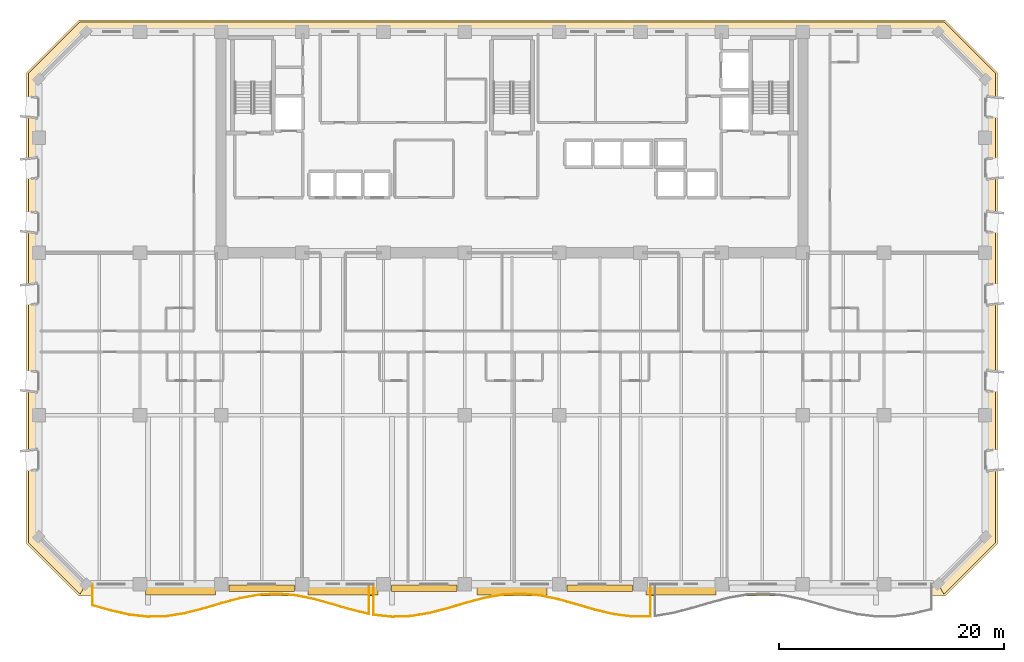
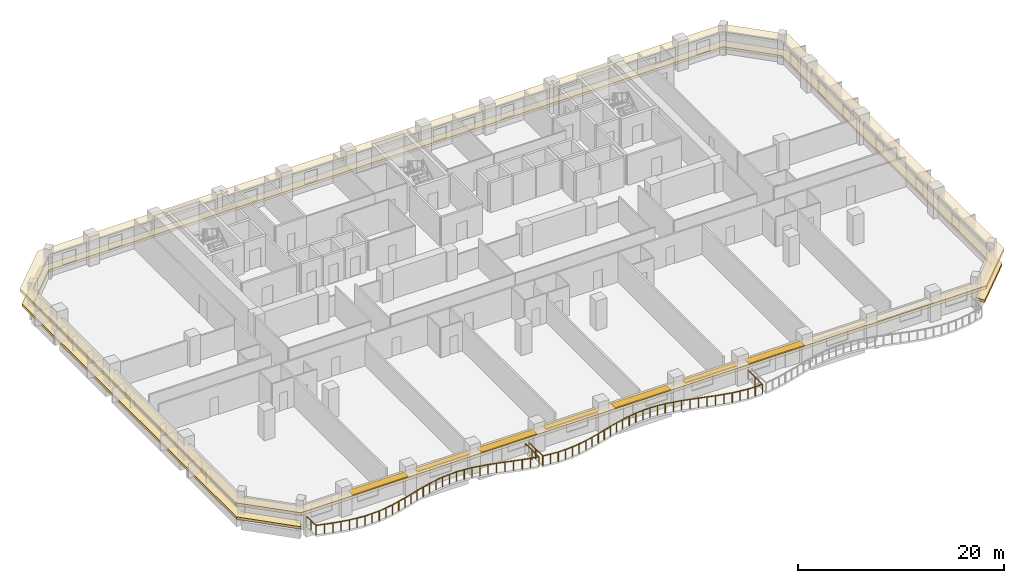
# One storey, part 11 of 14: 7 shading devices, 2 coverings, 2 railings.
"""IFC4 building model written with IfcOpenShell, lengths in metres."""

from ifc_helpers import new_model, si_unit, direction, frame, origin, origin_2d, place, context, subcontext, project, spatial, polyline, rectangle, outline, extrude, material, layer, layer_set, type_object, element, save


model = new_model("IFC4")

# Units and contexts
model_context = context("Model", 3, precision=1e-05, world=origin(), true_north=direction((0.0, 1.0)))
body_context = subcontext(model_context, "Body", "Model", "MODEL_VIEW")
ifc_project = project(units=[si_unit("LENGTHUNIT", "METRE"), si_unit("AREAUNIT", "SQUARE_METRE"), si_unit("VOLUMEUNIT", "CUBIC_METRE"), si_unit("PLANEANGLEUNIT", "RADIAN"), si_unit("MASSUNIT", "GRAM", prefix="KILO")], contexts=[model_context])

# Site, building, storey
site_placement = place(None, origin())
site = spatial("IfcSite", under=ifc_project, at=site_placement, CompositionType="ELEMENT")
building_placement = place(site_placement, origin())
building = spatial("IfcBuilding", under=site, at=building_placement, Name="Kaelvorn Grand Hotel", CompositionType="ELEMENT")
storey_placement = place(building_placement, frame((0.0, 0.0, 93.050048828125)))
storey = spatial("IfcBuildingStorey", under=building, at=storey_placement, Name="L21", CompositionType="ELEMENT", Elevation=93.050048828125)

# Coverings
ifc_material_1 = material(Name="Precast concrete C45/55", Category="concrete")
ifc_layer_1 = layer(ifc_material_1, 0.260009765625)
ifc_layer_set_1 = layer_set([ifc_layer_1], Name="Precast concrete C45/55")
covering_type_1 = type_object("IfcCoveringType", Name="COV-BAND-STREAMLINE-HEAD", PredefinedType="CLADDING", material=ifc_layer_set_1)
covering_1_placement = place(storey_placement, frame((0.0, 0.0, 2.179931640625)))
element("IfcCovering", 1, at=covering_1_placement, inside=storey, type_object=covering_type_1, Name="L21 Streamline Moderne Wraparound Horizontal Eyebrow Band", PredefinedType="CLADDING", context=body_context, shape_type="SweptSolid", body=[
    extrude(outline(polyline([(3.590087890625, -1.050048828125), (80.409912109375, -1.050048828125), (85.050048828125, 3.590087890625), (85.050048828125, 45.409912109375), (80.409912109375, 50.050048828125), (3.590087890625, 50.050048828125), (-1.050048828125, 45.409912109375), (-1.050048828125, 3.590087890625), (3.590087890625, -1.050048828125)]), holes=[polyline([(4.219970703125, 0.030029296875), (79.780029296875, 0.030029296875), (83.969970703125, 4.219970703125), (83.969970703125, 44.780029296875), (79.780029296875, 48.969970703125), (4.219970703125, 48.969970703125), (0.030029296875, 44.780029296875), (0.030029296875, 4.219970703125), (4.219970703125, 0.030029296875)])]), origin(), (0.0, 0.0, 1.0), 0.360107421875),
])
ifc_layer_2 = layer(ifc_material_1, 0.219970703125)
ifc_layer_set_2 = layer_set([ifc_layer_2], Name="Precast concrete C45/55")
covering_type_2 = type_object("IfcCoveringType", Name="COV-BAND-STREAMLINE-SILL", PredefinedType="CLADDING", material=ifc_layer_set_2)
covering_2_placement = place(storey_placement, frame((0.0, 0.0, 0.449951171875)))
element("IfcCovering", 2, at=covering_2_placement, inside=storey, type_object=covering_type_2, Name="L21 Streamline Moderne Wraparound Horizontal Sill Spandrel Band", PredefinedType="CLADDING", context=body_context, shape_type="SweptSolid", body=[
    extrude(outline(polyline([(80.3154296875, -0.8798828125), (84.8798828125, 3.6845703125), (84.8798828125, 45.3154296875), (80.3154296875, 49.8798828125), (3.6845703125, 49.8798828125), (-0.8798828125, 45.3154296875), (-0.8798828125, 3.6845703125), (3.6845703125, -0.8798828125), (4.217529296875, 0.030029296875), (0.030029296875, 4.217529296875), (0.030029296875, 44.782470703125), (4.217529296875, 48.969970703125), (79.782470703125, 48.969970703125), (83.969970703125, 44.782470703125), (83.969970703125, 4.217529296875), (79.782470703125, 0.030029296875), (80.3154296875, -0.8798828125)])), origin(), (0.0, 0.0, 1.0), 0.300048828125),
])

# Railings
ifc_material_2 = material(Name="Stainless Steel", Category="steel")
railing_type = type_object("IfcRailingType", Name="RL-BALC-1150", PredefinedType="BALUSTRADE", material=ifc_material_2)
railing_1_placement = place(storey_placement, frame((4.800048828125, 0.0, 0.0)))
element("IfcRailing", 3, at=railing_1_placement, inside=storey, type_object=railing_type, Name="L21 Scalloped Wave Balcony Balustrade GR1-1", PredefinedType="BALUSTRADE", context=body_context, shape_type="SweptSolid", body=[
    extrude(rectangle(XDim=0.048095703125, YDim=0.048095703125, at=origin_2d()), frame((0.0, 0.0, 1.1259765625), z_axis=(0.0, -1.0, 0.0), x_axis=(1.0, 0.0, 0.0)), (0.0, 0.0, 1.0), 1.875),
    extrude(rectangle(XDim=0.048095703125, YDim=0.048095703125, at=origin_2d()), frame((0.0, -1.875, 1.1259765625), z_axis=(0.961182099659, -0.275914789916, 0.0), x_axis=(0.275914789916, 0.961182099659, 0.0)), (0.0, 0.0, 1.0), 1.70166015625),
    extrude(rectangle(XDim=0.048095703125, YDim=0.048095703125, at=origin_2d()), frame((1.635498046875, -2.344482421875, 1.1259765625), z_axis=(0.975960285226, -0.21794843808, 0.0), x_axis=(0.21794843808, 0.975960285226, 0.0)), (0.0, 0.0, 1.0), 1.67578125),
    extrude(rectangle(XDim=0.048095703125, YDim=0.048095703125, at=origin_2d()), frame((3.27099609375, -2.709716796875, 1.1259765625), z_axis=(0.994020469758, -0.109193890409, 0.0), x_axis=(0.109193890409, 0.994020469758, 0.0)), (0.0, 0.0, 1.0), 1.6455078125),
    extrude(rectangle(XDim=0.048095703125, YDim=0.048095703125, at=origin_2d()), frame((4.90673828125, -2.889404296875, 1.1259765625), z_axis=(0.999614765722, 0.02775464195, 0.0), x_axis=(-0.02775464195, 0.999614765722, 0.0)), (0.0, 0.0, 1.0), 1.63623046875),
    extrude(rectangle(XDim=0.048095703125, YDim=0.048095703125, at=origin_2d()), frame((6.542236328125, -2.843994140625, 1.1259765625), z_axis=(0.987528788289, 0.157438534989, 0.0), x_axis=(-0.157438534989, 0.987528788289, 0.0)), (0.0, 0.0, 1.0), 1.65625),
    extrude(rectangle(XDim=0.048095703125, YDim=0.048095703125, at=origin_2d()), frame((8.177734375, -2.583251953125, 1.1259765625), z_axis=(0.968861629416, 0.247602792888, 0.0), x_axis=(-0.247602792888, 0.968861629416, 0.0)), (0.0, 0.0, 1.0), 1.68798828125),
    extrude(rectangle(XDim=0.048095703125, YDim=0.048095703125, at=origin_2d()), frame((9.813232421875, -2.165283203125, 1.1259765625), z_axis=(0.959105197492, 0.283049854522, 0.0), x_axis=(-0.283049854522, 0.959105197492, 0.0)), (0.0, 0.0, 1.0), 1.705322265625),
    extrude(rectangle(XDim=0.048095703125, YDim=0.048095703125, at=origin_2d()), frame((11.44873046875, -1.6826171875, 1.1259765625), z_axis=(0.965718666242, 0.25959094297, 0.0), x_axis=(-0.25959094297, 0.965718666242, 0.0)), (0.0, 0.0, 1.0), 1.69384765625),
    extrude(rectangle(XDim=0.048095703125, YDim=0.048095703125, at=origin_2d()), frame((13.08447265625, -1.242919921875, 1.1259765625), z_axis=(0.983662506195, 0.180022426122, 0.0), x_axis=(-0.180022426122, 0.983662506195, 0.0)), (0.0, 0.0, 1.0), 1.66259765625),
    extrude(rectangle(XDim=0.048095703125, YDim=0.048095703125, at=origin_2d()), frame((14.719970703125, -0.943603515625, 1.1259765625), z_axis=(0.998403431973, 0.056485281492, 0.0), x_axis=(-0.056485281492, 0.998403431973, 0.0)), (0.0, 0.0, 1.0), 1.63818359375),
    extrude(rectangle(XDim=0.048095703125, YDim=0.048095703125, at=origin_2d()), frame((16.35546875, -0.85107421875, 1.1259765625), z_axis=(0.996610094372, -0.082269798804, 0.0), x_axis=(0.082269798804, 0.996610094372, 0.0)), (0.0, 0.0, 1.0), 1.64111328125),
    extrude(rectangle(XDim=0.048095703125, YDim=0.048095703125, at=origin_2d()), frame((17.990966796875, -0.986083984375, 1.1259765625), z_axis=(0.979985536223, -0.199068703701, 0.0), x_axis=(0.199068703701, 0.979985536223, 0.0)), (0.0, 0.0, 1.0), 1.669189453125),
    extrude(rectangle(XDim=0.048095703125, YDim=0.048095703125, at=origin_2d()), frame((19.626708984375, -1.318359375, 1.1259765625), z_axis=(0.963251690304, -0.268600411627, 0.0), x_axis=(0.268600411627, 0.963251690304, 0.0)), (0.0, 0.0, 1.0), 1.697998046875),
    extrude(rectangle(XDim=0.048095703125, YDim=0.048095703125, at=origin_2d()), frame((21.26220703125, -1.7744140625, 1.1259765625), z_axis=(0.959763780104, -0.280808629498, 0.0), x_axis=(0.280808629498, 0.959763780104, 0.0)), (0.0, 0.0, 1.0), 1.7041015625),
    extrude(rectangle(XDim=0.048095703125, YDim=0.048095703125, at=origin_2d()), frame((22.897705078125, -2.2529296875, 1.1259765625), z_axis=(0.972148369978, -0.234366266236, 0.0), x_axis=(0.234366266236, 0.972148369978, 0.0)), (0.0, 0.0, 1.0), 1.682373046875),
    extrude(rectangle(XDim=0.048095703125, YDim=0.048095703125, at=origin_2d()), frame((24.533203125, -2.647216796875, 1.1259765625), z_axis=(0.0, 1.0, 0.0), x_axis=(-1.0, 0.0, 0.0)), (0.0, 0.0, 1.0), 2.647216796875),
    extrude(rectangle(XDim=0.0419921875, YDim=0.0419921875, at=origin_2d()), origin(), (0.0, 0.0, 1.0), 1.101806640625),
    extrude(rectangle(XDim=0.0419921875, YDim=0.0419921875, at=origin_2d()), frame((0.0, -0.9375, 0.0)), (0.0, 0.0, 1.0), 1.101806640625),
    extrude(rectangle(XDim=0.0419921875, YDim=0.0419921875, at=origin_2d()), frame((0.0, -1.875, 0.0)), (0.0, 0.0, 1.0), 1.101806640625),
    extrude(rectangle(XDim=0.0419921875, YDim=0.0419921875, at=origin_2d()), frame((0.81787109375, -2.10986328125, 0.0)), (0.0, 0.0, 1.0), 1.101806640625),
    extrude(rectangle(XDim=0.0419921875, YDim=0.0419921875, at=origin_2d()), frame((1.635498046875, -2.344482421875, 0.0)), (0.0, 0.0, 1.0), 1.101806640625),
    extrude(rectangle(XDim=0.0419921875, YDim=0.0419921875, at=origin_2d()), frame((2.453125, -2.527099609375, 0.0)), (0.0, 0.0, 1.0), 1.101806640625),
    extrude(rectangle(XDim=0.0419921875, YDim=0.0419921875, at=origin_2d()), frame((3.27099609375, -2.709716796875, 0.0)), (0.0, 0.0, 1.0), 1.101806640625),
    extrude(rectangle(XDim=0.0419921875, YDim=0.0419921875, at=origin_2d()), frame((4.0888671875, -2.799560546875, 0.0)), (0.0, 0.0, 1.0), 1.101806640625),
    extrude(rectangle(XDim=0.0419921875, YDim=0.0419921875, at=origin_2d()), frame((4.90673828125, -2.889404296875, 0.0)), (0.0, 0.0, 1.0), 1.101806640625),
    extrude(rectangle(XDim=0.0419921875, YDim=0.0419921875, at=origin_2d()), frame((5.724609375, -2.86669921875, 0.0)), (0.0, 0.0, 1.0), 1.101806640625),
    extrude(rectangle(XDim=0.0419921875, YDim=0.0419921875, at=origin_2d()), frame((6.542236328125, -2.843994140625, 0.0)), (0.0, 0.0, 1.0), 1.101806640625),
    extrude(rectangle(XDim=0.0419921875, YDim=0.0419921875, at=origin_2d()), frame((7.35986328125, -2.713623046875, 0.0)), (0.0, 0.0, 1.0), 1.101806640625),
    extrude(rectangle(XDim=0.0419921875, YDim=0.0419921875, at=origin_2d()), frame((8.177734375, -2.583251953125, 0.0)), (0.0, 0.0, 1.0), 1.101806640625),
    extrude(rectangle(XDim=0.0419921875, YDim=0.0419921875, at=origin_2d()), frame((8.99560546875, -2.374267578125, 0.0)), (0.0, 0.0, 1.0), 1.101806640625),
    extrude(rectangle(XDim=0.0419921875, YDim=0.0419921875, at=origin_2d()), frame((9.813232421875, -2.165283203125, 0.0)), (0.0, 0.0, 1.0), 1.101806640625),
    extrude(rectangle(XDim=0.0419921875, YDim=0.0419921875, at=origin_2d()), frame((10.630859375, -1.923828125, 0.0)), (0.0, 0.0, 1.0), 1.101806640625),
    extrude(rectangle(XDim=0.0419921875, YDim=0.0419921875, at=origin_2d()), frame((11.44873046875, -1.6826171875, 0.0)), (0.0, 0.0, 1.0), 1.101806640625),
    extrude(rectangle(XDim=0.0419921875, YDim=0.0419921875, at=origin_2d()), frame((12.2666015625, -1.462890625, 0.0)), (0.0, 0.0, 1.0), 1.101806640625),
    extrude(rectangle(XDim=0.0419921875, YDim=0.0419921875, at=origin_2d()), frame((13.08447265625, -1.242919921875, 0.0)), (0.0, 0.0, 1.0), 1.101806640625),
    extrude(rectangle(XDim=0.0419921875, YDim=0.0419921875, at=origin_2d()), frame((13.90234375, -1.09326171875, 0.0)), (0.0, 0.0, 1.0), 1.101806640625),
    extrude(rectangle(XDim=0.0419921875, YDim=0.0419921875, at=origin_2d()), frame((14.719970703125, -0.943603515625, 0.0)), (0.0, 0.0, 1.0), 1.101806640625),
    extrude(rectangle(XDim=0.0419921875, YDim=0.0419921875, at=origin_2d()), frame((15.53759765625, -0.8974609375, 0.0)), (0.0, 0.0, 1.0), 1.101806640625),
    extrude(rectangle(XDim=0.0419921875, YDim=0.0419921875, at=origin_2d()), frame((16.35546875, -0.85107421875, 0.0)), (0.0, 0.0, 1.0), 1.101806640625),
    extrude(rectangle(XDim=0.0419921875, YDim=0.0419921875, at=origin_2d()), frame((17.17333984375, -0.91845703125, 0.0)), (0.0, 0.0, 1.0), 1.101806640625),
    extrude(rectangle(XDim=0.0419921875, YDim=0.0419921875, at=origin_2d()), frame((17.990966796875, -0.986083984375, 0.0)), (0.0, 0.0, 1.0), 1.101806640625),
    extrude(rectangle(XDim=0.0419921875, YDim=0.0419921875, at=origin_2d()), frame((18.808837890625, -1.15234375, 0.0)), (0.0, 0.0, 1.0), 1.101806640625),
    extrude(rectangle(XDim=0.0419921875, YDim=0.0419921875, at=origin_2d()), frame((19.626708984375, -1.318359375, 0.0)), (0.0, 0.0, 1.0), 1.101806640625),
    extrude(rectangle(XDim=0.0419921875, YDim=0.0419921875, at=origin_2d()), frame((20.4443359375, -1.54638671875, 0.0)), (0.0, 0.0, 1.0), 1.101806640625),
    extrude(rectangle(XDim=0.0419921875, YDim=0.0419921875, at=origin_2d()), frame((21.26220703125, -1.7744140625, 0.0)), (0.0, 0.0, 1.0), 1.101806640625),
    extrude(rectangle(XDim=0.0419921875, YDim=0.0419921875, at=origin_2d()), frame((22.080078125, -2.013671875, 0.0)), (0.0, 0.0, 1.0), 1.101806640625),
    extrude(rectangle(XDim=0.0419921875, YDim=0.0419921875, at=origin_2d()), frame((22.897705078125, -2.2529296875, 0.0)), (0.0, 0.0, 1.0), 1.101806640625),
    extrude(rectangle(XDim=0.0419921875, YDim=0.0419921875, at=origin_2d()), frame((23.71533203125, -2.4501953125, 0.0)), (0.0, 0.0, 1.0), 1.101806640625),
    extrude(rectangle(XDim=0.0419921875, YDim=0.0419921875, at=origin_2d()), frame((24.533203125, -2.647216796875, 0.0)), (0.0, 0.0, 1.0), 1.101806640625),
    extrude(rectangle(XDim=0.0419921875, YDim=0.0419921875, at=origin_2d()), frame((24.533203125, -1.32373046875, 0.0)), (0.0, 0.0, 1.0), 1.101806640625),
    extrude(rectangle(XDim=0.0419921875, YDim=0.0419921875, at=origin_2d()), frame((24.533203125, 0.0, 0.0)), (0.0, 0.0, 1.0), 1.101806640625),
])
railing_2_placement = place(storey_placement, frame((29.7333984375, 0.0, 0.0)))
element("IfcRailing", 4, at=railing_2_placement, inside=storey, type_object=railing_type, Name="L21 Scalloped Wave Balcony Balustrade GR1-2", PredefinedType="BALUSTRADE", context=body_context, shape_type="SweptSolid", body=[
    extrude(rectangle(XDim=0.048095703125, YDim=0.048095703125, at=origin_2d()), frame((0.0, 0.0, 1.1259765625), z_axis=(0.0, -1.0, 0.0), x_axis=(1.0, 0.0, 0.0)), (0.0, 0.0, 1.0), 2.72021484375),
    extrude(rectangle(XDim=0.048095703125, YDim=0.048095703125, at=origin_2d()), frame((0.0, -2.72021484375, 1.1259765625), z_axis=(0.994538755279, -0.104367927297, 0.0), x_axis=(0.104367927297, 0.994538755279, 0.0)), (0.0, 0.0, 1.0), 1.64453125),
    extrude(rectangle(XDim=0.048095703125, YDim=0.048095703125, at=origin_2d()), frame((1.635498046875, -2.891845703125, 1.1259765625), z_axis=(0.999451346104, 0.033121092527, 0.0), x_axis=(-0.033121092527, 0.999451346104, 0.0)), (0.0, 0.0, 1.0), 1.636474609375),
    extrude(rectangle(XDim=0.048095703125, YDim=0.048095703125, at=origin_2d()), frame((3.27099609375, -2.837646484375, 1.1259765625), z_axis=(0.986832291042, 0.161746806324, 0.0), x_axis=(-0.161746806324, 0.986832291042, 0.0)), (0.0, 0.0, 1.0), 1.6572265625),
    extrude(rectangle(XDim=0.048095703125, YDim=0.048095703125, at=origin_2d()), frame((4.906494140625, -2.569580078125, 1.1259765625), z_axis=(0.968243477418, 0.250009136707, 0.0), x_axis=(-0.250009136707, 0.968243477418, 0.0)), (0.0, 0.0, 1.0), 1.689453125),
    extrude(rectangle(XDim=0.048095703125, YDim=0.048095703125, at=origin_2d()), frame((6.542236328125, -2.147216796875, 1.1259765625), z_axis=(0.959105197492, 0.283049854522, 0.0), x_axis=(-0.283049854522, 0.959105197492, 0.0)), (0.0, 0.0, 1.0), 1.705322265625),
    extrude(rectangle(XDim=0.048095703125, YDim=0.048095703125, at=origin_2d()), frame((8.177734375, -1.66455078125, 1.1259765625), z_axis=(0.966249302034, 0.257608785406, 0.0), x_axis=(-0.257608785406, 0.966249302034, 0.0)), (0.0, 0.0, 1.0), 1.692626953125),
    extrude(rectangle(XDim=0.048095703125, YDim=0.048095703125, at=origin_2d()), frame((9.813232421875, -1.228515625, 1.1259765625), z_axis=(0.984383042767, 0.176039839563, 0.0), x_axis=(-0.176039839563, 0.984383042767, 0.0)), (0.0, 0.0, 1.0), 1.661376953125),
    extrude(rectangle(XDim=0.048095703125, YDim=0.048095703125, at=origin_2d()), frame((11.44873046875, -0.93603515625, 1.1259765625), z_axis=(0.998684533852, 0.051275743231, 0.0), x_axis=(-0.051275743231, 0.998684533852, 0.0)), (0.0, 0.0, 1.0), 1.637939453125),
    extrude(rectangle(XDim=0.048095703125, YDim=0.048095703125, at=origin_2d()), frame((13.08447265625, -0.85205078125, 1.1259765625), z_axis=(0.996182895251, -0.087290544785, 0.0), x_axis=(0.087290544785, 0.996182895251, 0.0)), (0.0, 0.0, 1.0), 1.641845703125),
    extrude(rectangle(XDim=0.048095703125, YDim=0.048095703125, at=origin_2d()), frame((14.719970703125, -0.995361328125, 1.1259765625), z_axis=(0.979231407671, -0.202745777346, 0.0), x_axis=(0.202745777346, 0.979231407671, 0.0)), (0.0, 0.0, 1.0), 1.670166015625),
    extrude(rectangle(XDim=0.048095703125, YDim=0.048095703125, at=origin_2d()), frame((16.35546875, -1.333984375, 1.1259765625), z_axis=(0.962804134231, -0.270200294425, 0.0), x_axis=(0.270200294425, 0.962804134231, 0.0)), (0.0, 0.0, 1.0), 1.69873046875),
    extrude(rectangle(XDim=0.048095703125, YDim=0.048095703125, at=origin_2d()), frame((17.990966796875, -1.79296875, 1.1259765625), z_axis=(0.960006418895, -0.279977991421, 0.0), x_axis=(0.279977991421, 0.960006418895, 0.0)), (0.0, 0.0, 1.0), 1.703857421875),
    extrude(rectangle(XDim=0.048095703125, YDim=0.048095703125, at=origin_2d()), frame((19.626708984375, -2.27001953125, 1.1259765625), z_axis=(0.972806214685, -0.231620527306, 0.0), x_axis=(0.231620527306, 0.972806214685, 0.0)), (0.0, 0.0, 1.0), 1.68115234375),
    extrude(rectangle(XDim=0.048095703125, YDim=0.048095703125, at=origin_2d()), frame((21.26220703125, -2.659423828125, 1.1259765625), z_axis=(0.991462857149, -0.130389427847, 0.0), x_axis=(0.130389427847, 0.991462857149, 0.0)), (0.0, 0.0, 1.0), 1.649658203125),
    extrude(rectangle(XDim=0.048095703125, YDim=0.048095703125, at=origin_2d()), frame((22.897705078125, -2.87451171875, 1.1259765625), z_axis=(0.99999126505, 0.004179691808, 0.0), x_axis=(-0.004179691808, 0.99999126505, 0.0)), (0.0, 0.0, 1.0), 1.635498046875),
    extrude(rectangle(XDim=0.048095703125, YDim=0.048095703125, at=origin_2d()), frame((24.533203125, -2.86767578125, 1.1259765625), z_axis=(0.0, 1.0, 0.0), x_axis=(-1.0, 0.0, 0.0)), (0.0, 0.0, 1.0), 2.86767578125),
    extrude(rectangle(XDim=0.0419921875, YDim=0.0419921875, at=origin_2d()), origin(), (0.0, 0.0, 1.0), 1.101806640625),
    extrude(rectangle(XDim=0.0419921875, YDim=0.0419921875, at=origin_2d()), frame((0.0, -1.360107421875, 0.0)), (0.0, 0.0, 1.0), 1.101806640625),
    extrude(rectangle(XDim=0.0419921875, YDim=0.0419921875, at=origin_2d()), frame((0.0, -2.72021484375, 0.0)), (0.0, 0.0, 1.0), 1.101806640625),
    extrude(rectangle(XDim=0.0419921875, YDim=0.0419921875, at=origin_2d()), frame((0.81787109375, -2.80615234375, 0.0)), (0.0, 0.0, 1.0), 1.101806640625),
    extrude(rectangle(XDim=0.0419921875, YDim=0.0419921875, at=origin_2d()), frame((1.635498046875, -2.891845703125, 0.0)), (0.0, 0.0, 1.0), 1.101806640625),
    extrude(rectangle(XDim=0.0419921875, YDim=0.0419921875, at=origin_2d()), frame((2.453125, -2.86474609375, 0.0)), (0.0, 0.0, 1.0), 1.101806640625),
    extrude(rectangle(XDim=0.0419921875, YDim=0.0419921875, at=origin_2d()), frame((3.27099609375, -2.837646484375, 0.0)), (0.0, 0.0, 1.0), 1.101806640625),
    extrude(rectangle(XDim=0.0419921875, YDim=0.0419921875, at=origin_2d()), frame((4.0888671875, -2.70361328125, 0.0)), (0.0, 0.0, 1.0), 1.101806640625),
    extrude(rectangle(XDim=0.0419921875, YDim=0.0419921875, at=origin_2d()), frame((4.906494140625, -2.569580078125, 0.0)), (0.0, 0.0, 1.0), 1.101806640625),
    extrude(rectangle(XDim=0.0419921875, YDim=0.0419921875, at=origin_2d()), frame((5.724365234375, -2.3583984375, 0.0)), (0.0, 0.0, 1.0), 1.101806640625),
    extrude(rectangle(XDim=0.0419921875, YDim=0.0419921875, at=origin_2d()), frame((6.542236328125, -2.147216796875, 0.0)), (0.0, 0.0, 1.0), 1.101806640625),
    extrude(rectangle(XDim=0.0419921875, YDim=0.0419921875, at=origin_2d()), frame((7.35986328125, -1.90576171875, 0.0)), (0.0, 0.0, 1.0), 1.101806640625),
    extrude(rectangle(XDim=0.0419921875, YDim=0.0419921875, at=origin_2d()), frame((8.177734375, -1.66455078125, 0.0)), (0.0, 0.0, 1.0), 1.101806640625),
    extrude(rectangle(XDim=0.0419921875, YDim=0.0419921875, at=origin_2d()), frame((8.99560546875, -1.446533203125, 0.0)), (0.0, 0.0, 1.0), 1.101806640625),
    extrude(rectangle(XDim=0.0419921875, YDim=0.0419921875, at=origin_2d()), frame((9.813232421875, -1.228515625, 0.0)), (0.0, 0.0, 1.0), 1.101806640625),
    extrude(rectangle(XDim=0.0419921875, YDim=0.0419921875, at=origin_2d()), frame((10.630859375, -1.082275390625, 0.0)), (0.0, 0.0, 1.0), 1.101806640625),
    extrude(rectangle(XDim=0.0419921875, YDim=0.0419921875, at=origin_2d()), frame((11.44873046875, -0.93603515625, 0.0)), (0.0, 0.0, 1.0), 1.101806640625),
    extrude(rectangle(XDim=0.0419921875, YDim=0.0419921875, at=origin_2d()), frame((12.2666015625, -0.89404296875, 0.0)), (0.0, 0.0, 1.0), 1.101806640625),
    extrude(rectangle(XDim=0.0419921875, YDim=0.0419921875, at=origin_2d()), frame((13.08447265625, -0.85205078125, 0.0)), (0.0, 0.0, 1.0), 1.101806640625),
    extrude(rectangle(XDim=0.0419921875, YDim=0.0419921875, at=origin_2d()), frame((13.90234375, -0.923828125, 0.0)), (0.0, 0.0, 1.0), 1.101806640625),
    extrude(rectangle(XDim=0.0419921875, YDim=0.0419921875, at=origin_2d()), frame((14.719970703125, -0.995361328125, 0.0)), (0.0, 0.0, 1.0), 1.101806640625),
    extrude(rectangle(XDim=0.0419921875, YDim=0.0419921875, at=origin_2d()), frame((15.53759765625, -1.16455078125, 0.0)), (0.0, 0.0, 1.0), 1.101806640625),
    extrude(rectangle(XDim=0.0419921875, YDim=0.0419921875, at=origin_2d()), frame((16.35546875, -1.333984375, 0.0)), (0.0, 0.0, 1.0), 1.101806640625),
    extrude(rectangle(XDim=0.0419921875, YDim=0.0419921875, at=origin_2d()), frame((17.17333984375, -1.5634765625, 0.0)), (0.0, 0.0, 1.0), 1.101806640625),
    extrude(rectangle(XDim=0.0419921875, YDim=0.0419921875, at=origin_2d()), frame((17.990966796875, -1.79296875, 0.0)), (0.0, 0.0, 1.0), 1.101806640625),
    extrude(rectangle(XDim=0.0419921875, YDim=0.0419921875, at=origin_2d()), frame((18.808837890625, -2.031494140625, 0.0)), (0.0, 0.0, 1.0), 1.101806640625),
    extrude(rectangle(XDim=0.0419921875, YDim=0.0419921875, at=origin_2d()), frame((19.626708984375, -2.27001953125, 0.0)), (0.0, 0.0, 1.0), 1.101806640625),
    extrude(rectangle(XDim=0.0419921875, YDim=0.0419921875, at=origin_2d()), frame((20.4443359375, -2.46484375, 0.0)), (0.0, 0.0, 1.0), 1.101806640625),
    extrude(rectangle(XDim=0.0419921875, YDim=0.0419921875, at=origin_2d()), frame((21.26220703125, -2.659423828125, 0.0)), (0.0, 0.0, 1.0), 1.101806640625),
    extrude(rectangle(XDim=0.0419921875, YDim=0.0419921875, at=origin_2d()), frame((22.080078125, -2.76708984375, 0.0)), (0.0, 0.0, 1.0), 1.101806640625),
    extrude(rectangle(XDim=0.0419921875, YDim=0.0419921875, at=origin_2d()), frame((22.897705078125, -2.87451171875, 0.0)), (0.0, 0.0, 1.0), 1.101806640625),
    extrude(rectangle(XDim=0.0419921875, YDim=0.0419921875, at=origin_2d()), frame((23.71533203125, -2.87109375, 0.0)), (0.0, 0.0, 1.0), 1.101806640625),
    extrude(rectangle(XDim=0.0419921875, YDim=0.0419921875, at=origin_2d()), frame((24.533203125, -2.86767578125, 0.0)), (0.0, 0.0, 1.0), 1.101806640625),
    extrude(rectangle(XDim=0.0419921875, YDim=0.0419921875, at=origin_2d()), frame((24.533203125, -1.433837890625, 0.0)), (0.0, 0.0, 1.0), 1.101806640625),
    extrude(rectangle(XDim=0.0419921875, YDim=0.0419921875, at=origin_2d()), frame((24.533203125, 0.0, 0.0)), (0.0, 0.0, 1.0), 1.101806640625),
])

# Shading devices
ifc_layer_3 = layer(ifc_material_1, 0.1201171875)
ifc_layer_set_3 = layer_set([ifc_layer_3], Name="Precast concrete C45/55")
shading_device_type_1 = type_object("IfcShadingDeviceType", Name="SHD-SUNSHADE-550", PredefinedType="USERDEFINED", material=ifc_layer_set_3)
for number, where, z_axis, x_axis, name in (
    (5, (19.800048828125, -0.364990234375, 2.419921875), (0.0, 0.0, 1.0), (1.0, 0.0, 0.0), "L21 Horizontal Concrete Sunshade Band SS-03"),
    (6, (34.199951171875, -0.364990234375, 2.419921875), (0.0, 0.0, 1.0), (1.0, 0.0, 0.0), "L21 Horizontal Concrete Sunshade Band SS-05"),
    (7, (49.800048828125, -0.364990234375, 2.419921875), (0.0, 0.0, 1.0), (1.0, 0.0, 0.0), "L21 Horizontal Concrete Sunshade Band SS-07"),
):
    element("IfcShadingDevice", number, at=place(storey_placement, frame(where, z_axis=z_axis, x_axis=x_axis)), inside=storey, type_object=shading_device_type_1, Name=name, ObjectType="SUNSHADE", PredefinedType="USERDEFINED", context=body_context, shape_type="SweptSolid", body=[
        extrude(rectangle(XDim=5.800048828125, YDim=0.550048828125, at=origin_2d()), origin(), (0.0, 0.0, 1.0), 0.1201171875),
    ])
ifc_layer_4 = layer(ifc_material_1, 0.139892578125)
ifc_layer_set_4 = layer_set([ifc_layer_4], Name="Precast concrete C45/55")
shading_device_type_2 = type_object("IfcShadingDeviceType", Name="SHD-SUNSHADE-850", PredefinedType="USERDEFINED", material=ifc_layer_set_4)
for number, where, z_axis, x_axis, name in (
    (8, (12.60009765625, -0.514892578125, 2.41015625), (0.0, 0.0, 1.0), (1.0, 0.0, 0.0), "L21 Horizontal Concrete Sunshade Band SS-02"),
    (9, (27.0, -0.514892578125, 2.41015625), (0.0, 0.0, 1.0), (1.0, 0.0, 0.0), "L21 Horizontal Concrete Sunshade Band SS-04"),
    (10, (42.0, -0.514892578125, 2.41015625), (0.0, 0.0, 1.0), (1.0, 0.0, 0.0), "L21 Horizontal Concrete Sunshade Band SS-06"),
    (11, (57.0, -0.514892578125, 2.41015625), (0.0, 0.0, 1.0), (1.0, 0.0, 0.0), "L21 Horizontal Concrete Sunshade Band SS-08"),
):
    element("IfcShadingDevice", number, at=place(storey_placement, frame(where, z_axis=z_axis, x_axis=x_axis)), inside=storey, type_object=shading_device_type_2, Name=name, ObjectType="SUNSHADE", PredefinedType="USERDEFINED", context=body_context, shape_type="SweptSolid", body=[
        extrude(rectangle(XDim=6.199951171875, YDim=0.85009765625, at=origin_2d()), origin(), (0.0, 0.0, 1.0), 0.139892578125),
    ])

save(model, "model.ifc")
